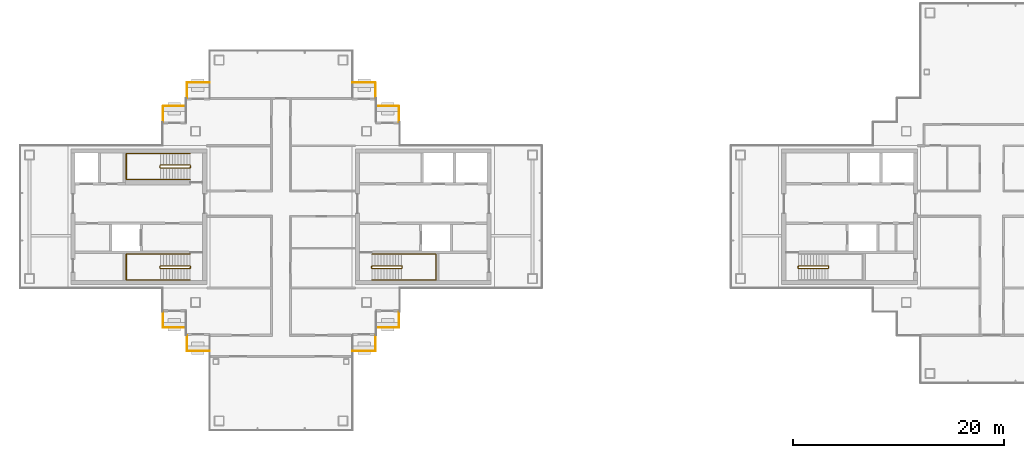
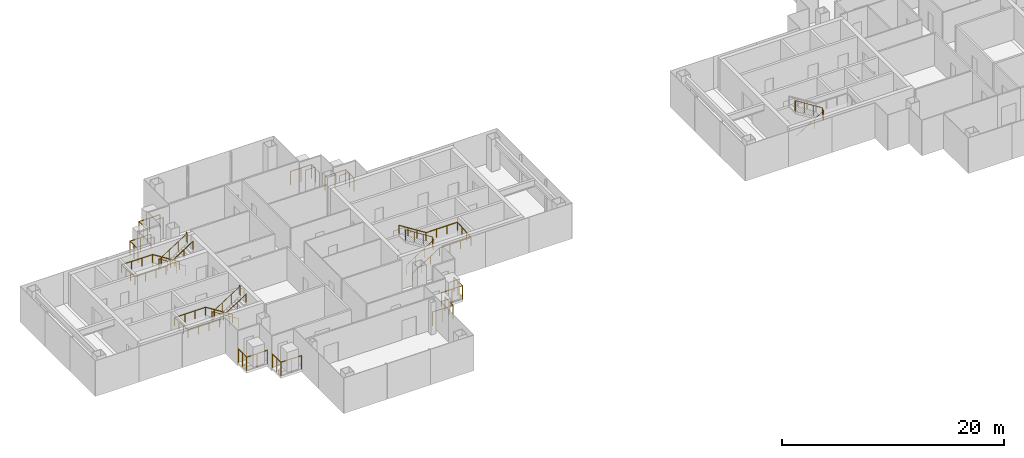
# One storey, part 14 of 16: 15 railings.
"""IFC4 building model written with IfcOpenShell, lengths in metres."""

from ifc_helpers import new_model, si_unit, direction, frame, origin, origin_2d, place, context, subcontext, project, spatial, circle, extrude, material, type_object, element, save


model = new_model("IFC4")

# Units and contexts
model_context = context("Model", 3, precision=1e-05, world=origin(), true_north=direction((0.0, 1.0)))
body_context = subcontext(model_context, "Body", "Model", "MODEL_VIEW")
ifc_project = project(units=[si_unit("LENGTHUNIT", "METRE"), si_unit("AREAUNIT", "SQUARE_METRE"), si_unit("VOLUMEUNIT", "CUBIC_METRE"), si_unit("PLANEANGLEUNIT", "RADIAN"), si_unit("MASSUNIT", "GRAM", prefix="KILO")], contexts=[model_context])

# Site, building, storey
site_placement = place(None, origin())
site = spatial("IfcSite", under=ifc_project, at=site_placement, CompositionType="ELEMENT")
building_placement = place(site_placement, origin())
building = spatial("IfcBuilding", under=site, at=building_placement, Name="Shamsa Quay Exchange Towers", CompositionType="ELEMENT")
storey_placement = place(building_placement, frame((0.0, 0.0, 261.60009765625)))
storey = spatial("IfcBuildingStorey", under=building, at=storey_placement, Name="L63", CompositionType="ELEMENT", Elevation=261.60009765625)

# Railings
ifc_material_1 = material(Name="Steel S355, black powder-coated", Category="steel")
railing_type_1 = type_object("IfcRailingType", Name="BALCONY GUARD 1500", PredefinedType="GUARDRAIL", material=ifc_material_1)
for number, where, name in (
    (1, (-22.550048828125, 9.02099609375, 0.0), "Balcony guard T1-PKEN L63"),
    (2, (-24.800048828125, 11.27099609375, 0.0), "Balcony guard T1-PKEN L63"),
):
    element("IfcRailing", number, at=place(storey_placement, frame(where)), inside=storey, type_object=railing_type_1, Name=name, PredefinedType="GUARDRAIL", context=body_context, shape_type="SweptSolid", body=[
        extrude(circle(Radius=0.02392578125, at=origin_2d()), frame((0.0, 0.0, 1.47607421875), z_axis=(0.0, 1.0, 0.0), x_axis=(-1.0, 0.0, 0.0)), (0.0, 0.0, 1.0), 1.47900390625),
        extrude(circle(Radius=0.02392578125, at=origin_2d()), frame((0.0, 1.47900390625, 1.47607421875), z_axis=(-1.0, 0.0, 0.0), x_axis=(0.0, -1.0, 0.0)), (0.0, 0.0, 1.0), 2.161865234375),
        extrude(circle(Radius=0.02099609375, at=origin_2d()), origin(), (0.0, 0.0, 1.0), 1.451904296875),
        extrude(circle(Radius=0.02099609375, at=origin_2d()), frame((0.0, 0.739501953125, 0.0)), (0.0, 0.0, 1.0), 1.451904296875),
        extrude(circle(Radius=0.02099609375, at=origin_2d()), frame((0.0, 1.47900390625, 0.0)), (0.0, 0.0, 1.0), 1.451904296875),
        extrude(circle(Radius=0.02099609375, at=origin_2d()), frame((-1.0810546875, 1.47900390625, 0.0)), (0.0, 0.0, 1.0), 1.451904296875),
        extrude(circle(Radius=0.02099609375, at=origin_2d()), frame((-2.161865234375, 1.47900390625, 0.0)), (0.0, 0.0, 1.0), 1.451904296875),
    ])
for number, where, name in (
    (3, (-24.7119140625, -10.5, 0.0), "Balcony guard T1-PKES L63"),
    (4, (-26.9619140625, -12.75, 0.0), "Balcony guard T1-PKES L63"),
):
    element("IfcRailing", number, at=place(storey_placement, frame(where)), inside=storey, type_object=railing_type_1, Name=name, PredefinedType="GUARDRAIL", context=body_context, shape_type="SweptSolid", body=[
        extrude(circle(Radius=0.02392578125, at=origin_2d()), frame((0.0, 0.0, 1.47607421875), z_axis=(1.0, 0.0, 0.0), x_axis=(0.0, 1.0, 0.0)), (0.0, 0.0, 1.0), 2.161865234375),
        extrude(circle(Radius=0.02392578125, at=origin_2d()), frame((2.161865234375, 0.0, 1.47607421875), z_axis=(0.0, 1.0, 0.0), x_axis=(-1.0, 0.0, 0.0)), (0.0, 0.0, 1.0), 1.47900390625),
        extrude(circle(Radius=0.02099609375, at=origin_2d()), origin(), (0.0, 0.0, 1.0), 1.451904296875),
        extrude(circle(Radius=0.02099609375, at=origin_2d()), frame((1.0810546875, 0.0, 0.0)), (0.0, 0.0, 1.0), 1.451904296875),
        extrude(circle(Radius=0.02099609375, at=origin_2d()), frame((2.161865234375, 0.0, 0.0)), (0.0, 0.0, 1.0), 1.451904296875),
        extrude(circle(Radius=0.02099609375, at=origin_2d()), frame((2.161865234375, 0.739501953125, 0.0)), (0.0, 0.0, 1.0), 1.451904296875),
        extrude(circle(Radius=0.02099609375, at=origin_2d()), frame((2.161865234375, 1.47900390625, 0.0)), (0.0, 0.0, 1.0), 1.451904296875),
    ])
for number, where, name in (
    (5, (-40.5380859375, 12.75, 0.0), "Balcony guard T1-PKWN L63"),
    (6, (-42.7880859375, 10.5, 0.0), "Balcony guard T1-PKWN L63"),
):
    element("IfcRailing", number, at=place(storey_placement, frame(where)), inside=storey, type_object=railing_type_1, Name=name, PredefinedType="GUARDRAIL", context=body_context, shape_type="SweptSolid", body=[
        extrude(circle(Radius=0.02392578125, at=origin_2d()), frame((0.0, 0.0, 1.47607421875), z_axis=(-1.0, 0.0, 0.0), x_axis=(0.0, -1.0, 0.0)), (0.0, 0.0, 1.0), 2.161865234375),
        extrude(circle(Radius=0.02392578125, at=origin_2d()), frame((-2.161865234375, 0.0, 1.47607421875), z_axis=(0.0, -1.0, 0.0), x_axis=(1.0, 0.0, 0.0)), (0.0, 0.0, 1.0), 1.47900390625),
        extrude(circle(Radius=0.02099609375, at=origin_2d()), origin(), (0.0, 0.0, 1.0), 1.451904296875),
        extrude(circle(Radius=0.02099609375, at=origin_2d()), frame((-1.0810546875, 0.0, 0.0)), (0.0, 0.0, 1.0), 1.451904296875),
        extrude(circle(Radius=0.02099609375, at=origin_2d()), frame((-2.161865234375, 0.0, 0.0)), (0.0, 0.0, 1.0), 1.451904296875),
        extrude(circle(Radius=0.02099609375, at=origin_2d()), frame((-2.161865234375, -0.739501953125, 0.0)), (0.0, 0.0, 1.0), 1.451904296875),
        extrude(circle(Radius=0.02099609375, at=origin_2d()), frame((-2.161865234375, -1.47900390625, 0.0)), (0.0, 0.0, 1.0), 1.451904296875),
    ])
for number, where, name in (
    (7, (-44.949951171875, -9.02099609375, 0.0), "Balcony guard T1-PKWS L63"),
    (8, (-42.699951171875, -11.27099609375, 0.0), "Balcony guard T1-PKWS L63"),
):
    element("IfcRailing", number, at=place(storey_placement, frame(where)), inside=storey, type_object=railing_type_1, Name=name, PredefinedType="GUARDRAIL", context=body_context, shape_type="SweptSolid", body=[
        extrude(circle(Radius=0.02392578125, at=origin_2d()), frame((0.0, 0.0, 1.47607421875), z_axis=(0.0, -1.0, 0.0), x_axis=(1.0, 0.0, 0.0)), (0.0, 0.0, 1.0), 1.47900390625),
        extrude(circle(Radius=0.02392578125, at=origin_2d()), frame((0.0, -1.47900390625, 1.47607421875), z_axis=(1.0, 0.0, 0.0), x_axis=(0.0, 1.0, 0.0)), (0.0, 0.0, 1.0), 2.161865234375),
        extrude(circle(Radius=0.02099609375, at=origin_2d()), origin(), (0.0, 0.0, 1.0), 1.451904296875),
        extrude(circle(Radius=0.02099609375, at=origin_2d()), frame((0.0, -0.739501953125, 0.0)), (0.0, 0.0, 1.0), 1.451904296875),
        extrude(circle(Radius=0.02099609375, at=origin_2d()), frame((0.0, -1.47900390625, 0.0)), (0.0, 0.0, 1.0), 1.451904296875),
        extrude(circle(Radius=0.02099609375, at=origin_2d()), frame((1.0810546875, -1.47900390625, 0.0)), (0.0, 0.0, 1.0), 1.451904296875),
        extrude(circle(Radius=0.02099609375, at=origin_2d()), frame((2.161865234375, -1.47900390625, 0.0)), (0.0, 0.0, 1.0), 1.451904296875),
    ])
ifc_material_2 = material(Name="Stainless steel", Category="steel")
railing_type_2 = type_object("IfcRailingType", Name="STAIR GUARD 1100", PredefinedType="GUARDRAIL", material=ifc_material_2)
railing_1_placement = place(storey_placement, frame((-25.10009765625, -4.89990234375, 0.17724609375)))
element("IfcRailing", 9, at=railing_1_placement, inside=storey, type_object=railing_type_2, Name="L63 ST1 stair guard 1", PredefinedType="GUARDRAIL", context=body_context, shape_type="SweptSolid", body=[
    extrude(circle(Radius=0.02392578125, at=origin_2d()), frame((0.0, 0.0, 1.076171875), z_axis=(0.844908973607, 0.0, 0.534910110503), x_axis=(0.0, 1.0, 0.0)), (0.0, 0.0, 1.0), 3.31396484375),
    extrude(circle(Radius=0.02392578125, at=origin_2d()), frame((2.800048828125, 0.0, 2.8486328125), z_axis=(0.708833529934, 0.705375805398, 0.0), x_axis=(-0.705375805398, 0.708833529934, 0.0)), (0.0, 0.0, 1.0), 0.070556640625),
    extrude(circle(Radius=0.02392578125, at=origin_2d()), frame((2.85009765625, 0.0498046875, 2.8486328125), z_axis=(0.0, 1.0, 0.0), x_axis=(-1.0, 0.0, 0.0)), (0.0, 0.0, 1.0), 0.150146484375),
    extrude(circle(Radius=0.02392578125, at=origin_2d()), frame((2.85009765625, 0.199951171875, 2.8486328125), z_axis=(-0.262233686654, 0.262233686654, 0.928691007369), x_axis=(-0.707106781187, -0.707106781187, 0.0)), (0.0, 0.0, 1.0), 0.19091796875),
    extrude(circle(Radius=0.02392578125, at=origin_2d()), frame((2.800048828125, 0.25, 3.02587890625), z_axis=(-0.844908973607, 0.0, 0.534910110503), x_axis=(0.0, -1.0, 0.0)), (0.0, 0.0, 1.0), 3.31396484375),
    extrude(circle(Radius=0.02392578125, at=origin_2d()), frame((0.0, 0.25, 4.798828125), z_axis=(-0.24142163986, -0.970420317083, 0.0), x_axis=(0.970420317083, -0.24142163986, 0.0)), (0.0, 0.0, 1.0), 0.206298828125),
    extrude(circle(Radius=0.02392578125, at=origin_2d()), frame((-0.0498046875, 0.0498046875, 4.798828125), z_axis=(0.0, 1.0, 0.0), x_axis=(-1.0, 0.0, 0.0)), (0.0, 0.0, 1.0), 0.150146484375),
    extrude(circle(Radius=0.02099609375, at=origin_2d()), origin(), (0.0, 0.0, 1.0), 1.052001953125),
    extrude(circle(Radius=0.02099609375, at=origin_2d()), frame((0.933349609375, 0.0, 0.5908203125)), (0.0, 0.0, 1.0), 1.052001953125),
    extrude(circle(Radius=0.02099609375, at=origin_2d()), frame((1.86669921875, 0.0, 1.181884765625)), (0.0, 0.0, 1.0), 1.052001953125),
    extrude(circle(Radius=0.02099609375, at=origin_2d()), frame((2.800048828125, 0.0, 1.772705078125)), (0.0, 0.0, 1.0), 1.052001953125),
    extrude(circle(Radius=0.02099609375, at=origin_2d()), frame((2.85009765625, 0.0498046875, 1.772705078125)), (0.0, 0.0, 1.0), 1.052001953125),
    extrude(circle(Radius=0.02099609375, at=origin_2d()), frame((2.85009765625, 0.199951171875, 1.772705078125)), (0.0, 0.0, 1.0), 1.052001953125),
    extrude(circle(Radius=0.02099609375, at=origin_2d()), frame((2.800048828125, 0.25, 1.949951171875)), (0.0, 0.0, 1.0), 1.052001953125),
    extrude(circle(Radius=0.02099609375, at=origin_2d()), frame((1.86669921875, 0.25, 2.540771484375)), (0.0, 0.0, 1.0), 1.052001953125),
    extrude(circle(Radius=0.02099609375, at=origin_2d()), frame((0.933349609375, 0.25, 3.1318359375)), (0.0, 0.0, 1.0), 1.052001953125),
    extrude(circle(Radius=0.02099609375, at=origin_2d()), frame((0.0, 0.25, 3.72265625)), (0.0, 0.0, 1.0), 1.052001953125),
    extrude(circle(Radius=0.02099609375, at=origin_2d()), frame((-0.0498046875, 0.0498046875, 3.72265625)), (0.0, 0.0, 1.0), 1.052001953125),
    extrude(circle(Radius=0.02099609375, at=origin_2d()), frame((-0.0498046875, 0.199951171875, 3.72265625)), (0.0, 0.0, 1.0), 1.052001953125),
])
railing_2_placement = place(storey_placement, frame((-42.39990234375, -4.64990234375, 0.17724609375)))
element("IfcRailing", 10, at=railing_2_placement, inside=storey, type_object=railing_type_2, Name="L63 ST2 stair guard 1", PredefinedType="GUARDRAIL", context=body_context, shape_type="SweptSolid", body=[
    extrude(circle(Radius=0.02392578125, at=origin_2d()), frame((0.0, 0.0, 1.076171875), z_axis=(-0.844908973607, 0.0, 0.534910110503), x_axis=(0.0, -1.0, 0.0)), (0.0, 0.0, 1.0), 3.31396484375),
    extrude(circle(Radius=0.02392578125, at=origin_2d()), frame((-2.800048828125, 0.0, 2.8486328125), z_axis=(-0.707106781187, -0.707106781187, 0.0), x_axis=(0.707106781187, -0.707106781187, 0.0)), (0.0, 0.0, 1.0), 0.07080078125),
    extrude(circle(Radius=0.02392578125, at=origin_2d()), frame((-2.85009765625, -0.050048828125, 2.8486328125), z_axis=(0.0, -1.0, 0.0), x_axis=(1.0, 0.0, 0.0)), (0.0, 0.0, 1.0), 0.150146484375),
    extrude(circle(Radius=0.02392578125, at=origin_2d()), frame((-2.85009765625, -0.2001953125, 2.8486328125), z_axis=(0.262321481514, -0.261041864531, 0.929001929653), x_axis=(0.705375805398, 0.708833529934, 0.0)), (0.0, 0.0, 1.0), 0.190673828125),
    extrude(circle(Radius=0.02392578125, at=origin_2d()), frame((-2.800048828125, -0.25, 3.02587890625), z_axis=(0.844908973607, 0.0, 0.534910110503), x_axis=(0.0, 1.0, 0.0)), (0.0, 0.0, 1.0), 3.31396484375),
    extrude(circle(Radius=0.02392578125, at=origin_2d()), frame((0.0, -0.25, 4.798828125), z_axis=(0.241699205484, 0.970351222016, 0.0), x_axis=(-0.970351222016, 0.241699205484, 0.0)), (0.0, 0.0, 1.0), 0.2060546875),
    extrude(circle(Radius=0.02392578125, at=origin_2d()), frame((0.0498046875, -0.050048828125, 4.798828125), z_axis=(0.0, -1.0, 0.0), x_axis=(1.0, 0.0, 0.0)), (0.0, 0.0, 1.0), 0.150146484375),
    extrude(circle(Radius=0.02099609375, at=origin_2d()), origin(), (0.0, 0.0, 1.0), 1.052001953125),
    extrude(circle(Radius=0.02099609375, at=origin_2d()), frame((-0.933349609375, 0.0, 0.5908203125)), (0.0, 0.0, 1.0), 1.052001953125),
    extrude(circle(Radius=0.02099609375, at=origin_2d()), frame((-1.86669921875, 0.0, 1.181884765625)), (0.0, 0.0, 1.0), 1.052001953125),
    extrude(circle(Radius=0.02099609375, at=origin_2d()), frame((-2.800048828125, 0.0, 1.772705078125)), (0.0, 0.0, 1.0), 1.052001953125),
    extrude(circle(Radius=0.02099609375, at=origin_2d()), frame((-2.85009765625, -0.050048828125, 1.772705078125)), (0.0, 0.0, 1.0), 1.052001953125),
    extrude(circle(Radius=0.02099609375, at=origin_2d()), frame((-2.85009765625, -0.2001953125, 1.772705078125)), (0.0, 0.0, 1.0), 1.052001953125),
    extrude(circle(Radius=0.02099609375, at=origin_2d()), frame((-2.800048828125, -0.25, 1.949951171875)), (0.0, 0.0, 1.0), 1.052001953125),
    extrude(circle(Radius=0.02099609375, at=origin_2d()), frame((-1.86669921875, -0.25, 2.540771484375)), (0.0, 0.0, 1.0), 1.052001953125),
    extrude(circle(Radius=0.02099609375, at=origin_2d()), frame((-0.933349609375, -0.25, 3.1318359375)), (0.0, 0.0, 1.0), 1.052001953125),
    extrude(circle(Radius=0.02099609375, at=origin_2d()), frame((0.0, -0.25, 3.72265625)), (0.0, 0.0, 1.0), 1.052001953125),
    extrude(circle(Radius=0.02099609375, at=origin_2d()), frame((0.0498046875, -0.050048828125, 3.72265625)), (0.0, 0.0, 1.0), 1.052001953125),
    extrude(circle(Radius=0.02099609375, at=origin_2d()), frame((0.0498046875, -0.2001953125, 3.72265625)), (0.0, 0.0, 1.0), 1.052001953125),
])
railing_3_placement = place(storey_placement, frame((-42.39990234375, 4.89990234375, 0.17724609375)))
element("IfcRailing", 11, at=railing_3_placement, inside=storey, type_object=railing_type_2, Name="L63 ST3 stair guard 1", PredefinedType="GUARDRAIL", context=body_context, shape_type="SweptSolid", body=[
    extrude(circle(Radius=0.02392578125, at=origin_2d()), frame((0.0, 0.0, 1.076171875), z_axis=(-0.844908973607, 0.0, 0.534910110503), x_axis=(0.0, -1.0, 0.0)), (0.0, 0.0, 1.0), 3.31396484375),
    extrude(circle(Radius=0.02392578125, at=origin_2d()), frame((-2.800048828125, 0.0, 2.8486328125), z_axis=(-0.708833529934, -0.705375805398, 0.0), x_axis=(0.705375805398, -0.708833529934, 0.0)), (0.0, 0.0, 1.0), 0.070556640625),
    extrude(circle(Radius=0.02392578125, at=origin_2d()), frame((-2.85009765625, -0.0498046875, 2.8486328125), z_axis=(0.0, -1.0, 0.0), x_axis=(1.0, 0.0, 0.0)), (0.0, 0.0, 1.0), 0.150146484375),
    extrude(circle(Radius=0.02392578125, at=origin_2d()), frame((-2.85009765625, -0.199951171875, 2.8486328125), z_axis=(0.262233686654, -0.262233686654, 0.928691007369), x_axis=(0.707106781187, 0.707106781187, 0.0)), (0.0, 0.0, 1.0), 0.19091796875),
    extrude(circle(Radius=0.02392578125, at=origin_2d()), frame((-2.800048828125, -0.25, 3.02587890625), z_axis=(0.844908973607, 0.0, 0.534910110503), x_axis=(0.0, 1.0, 0.0)), (0.0, 0.0, 1.0), 3.31396484375),
    extrude(circle(Radius=0.02392578125, at=origin_2d()), frame((0.0, -0.25, 4.798828125), z_axis=(0.24142163986, 0.970420317083, 0.0), x_axis=(-0.970420317083, 0.24142163986, 0.0)), (0.0, 0.0, 1.0), 0.206298828125),
    extrude(circle(Radius=0.02392578125, at=origin_2d()), frame((0.0498046875, -0.0498046875, 4.798828125), z_axis=(0.0, -1.0, 0.0), x_axis=(1.0, 0.0, 0.0)), (0.0, 0.0, 1.0), 0.150146484375),
    extrude(circle(Radius=0.02099609375, at=origin_2d()), origin(), (0.0, 0.0, 1.0), 1.052001953125),
    extrude(circle(Radius=0.02099609375, at=origin_2d()), frame((-0.933349609375, 0.0, 0.5908203125)), (0.0, 0.0, 1.0), 1.052001953125),
    extrude(circle(Radius=0.02099609375, at=origin_2d()), frame((-1.86669921875, 0.0, 1.181884765625)), (0.0, 0.0, 1.0), 1.052001953125),
    extrude(circle(Radius=0.02099609375, at=origin_2d()), frame((-2.800048828125, 0.0, 1.772705078125)), (0.0, 0.0, 1.0), 1.052001953125),
    extrude(circle(Radius=0.02099609375, at=origin_2d()), frame((-2.85009765625, -0.0498046875, 1.772705078125)), (0.0, 0.0, 1.0), 1.052001953125),
    extrude(circle(Radius=0.02099609375, at=origin_2d()), frame((-2.85009765625, -0.199951171875, 1.772705078125)), (0.0, 0.0, 1.0), 1.052001953125),
    extrude(circle(Radius=0.02099609375, at=origin_2d()), frame((-2.800048828125, -0.25, 1.949951171875)), (0.0, 0.0, 1.0), 1.052001953125),
    extrude(circle(Radius=0.02099609375, at=origin_2d()), frame((-1.86669921875, -0.25, 2.540771484375)), (0.0, 0.0, 1.0), 1.052001953125),
    extrude(circle(Radius=0.02099609375, at=origin_2d()), frame((-0.933349609375, -0.25, 3.1318359375)), (0.0, 0.0, 1.0), 1.052001953125),
    extrude(circle(Radius=0.02099609375, at=origin_2d()), frame((0.0, -0.25, 3.72265625)), (0.0, 0.0, 1.0), 1.052001953125),
    extrude(circle(Radius=0.02099609375, at=origin_2d()), frame((0.0498046875, -0.0498046875, 3.72265625)), (0.0, 0.0, 1.0), 1.052001953125),
    extrude(circle(Radius=0.02099609375, at=origin_2d()), frame((0.0498046875, -0.199951171875, 3.72265625)), (0.0, 0.0, 1.0), 1.052001953125),
])
railing_4_placement = place(storey_placement, frame((15.39990234375, -4.89990234375, 0.17724609375)))
element("IfcRailing", 12, at=railing_4_placement, inside=storey, type_object=railing_type_2, Name="L63 ST4 stair guard 1", PredefinedType="GUARDRAIL", context=body_context, shape_type="SweptSolid", body=[
    extrude(circle(Radius=0.02392578125, at=origin_2d()), frame((0.0, 0.0, 1.076171875), z_axis=(0.844908973607, 0.0, 0.534910110503), x_axis=(0.0, 1.0, 0.0)), (0.0, 0.0, 1.0), 3.31396484375),
    extrude(circle(Radius=0.02392578125, at=origin_2d()), frame((2.800048828125, 0.0, 2.8486328125), z_axis=(0.708833529934, 0.705375805398, 0.0), x_axis=(-0.705375805398, 0.708833529934, 0.0)), (0.0, 0.0, 1.0), 0.070556640625),
    extrude(circle(Radius=0.02392578125, at=origin_2d()), frame((2.85009765625, 0.0498046875, 2.8486328125), z_axis=(0.0, 1.0, 0.0), x_axis=(-1.0, 0.0, 0.0)), (0.0, 0.0, 1.0), 0.150146484375),
    extrude(circle(Radius=0.02392578125, at=origin_2d()), frame((2.85009765625, 0.199951171875, 2.8486328125), z_axis=(-0.262233686654, 0.262233686654, 0.928691007369), x_axis=(-0.707106781187, -0.707106781187, 0.0)), (0.0, 0.0, 1.0), 0.19091796875),
    extrude(circle(Radius=0.02392578125, at=origin_2d()), frame((2.800048828125, 0.25, 3.02587890625), z_axis=(-0.844908973607, 0.0, 0.534910110503), x_axis=(0.0, -1.0, 0.0)), (0.0, 0.0, 1.0), 3.31396484375),
    extrude(circle(Radius=0.02392578125, at=origin_2d()), frame((0.0, 0.25, 4.798828125), z_axis=(-0.24142163986, -0.970420317083, 0.0), x_axis=(0.970420317083, -0.24142163986, 0.0)), (0.0, 0.0, 1.0), 0.206298828125),
    extrude(circle(Radius=0.02392578125, at=origin_2d()), frame((-0.0498046875, 0.0498046875, 4.798828125), z_axis=(0.0, 1.0, 0.0), x_axis=(-1.0, 0.0, 0.0)), (0.0, 0.0, 1.0), 0.150146484375),
    extrude(circle(Radius=0.02099609375, at=origin_2d()), origin(), (0.0, 0.0, 1.0), 1.052001953125),
    extrude(circle(Radius=0.02099609375, at=origin_2d()), frame((0.933349609375, 0.0, 0.5908203125)), (0.0, 0.0, 1.0), 1.052001953125),
    extrude(circle(Radius=0.02099609375, at=origin_2d()), frame((1.86669921875, 0.0, 1.181884765625)), (0.0, 0.0, 1.0), 1.052001953125),
    extrude(circle(Radius=0.02099609375, at=origin_2d()), frame((2.800048828125, 0.0, 1.772705078125)), (0.0, 0.0, 1.0), 1.052001953125),
    extrude(circle(Radius=0.02099609375, at=origin_2d()), frame((2.85009765625, 0.0498046875, 1.772705078125)), (0.0, 0.0, 1.0), 1.052001953125),
    extrude(circle(Radius=0.02099609375, at=origin_2d()), frame((2.85009765625, 0.199951171875, 1.772705078125)), (0.0, 0.0, 1.0), 1.052001953125),
    extrude(circle(Radius=0.02099609375, at=origin_2d()), frame((2.800048828125, 0.25, 1.949951171875)), (0.0, 0.0, 1.0), 1.052001953125),
    extrude(circle(Radius=0.02099609375, at=origin_2d()), frame((1.86669921875, 0.25, 2.540771484375)), (0.0, 0.0, 1.0), 1.052001953125),
    extrude(circle(Radius=0.02099609375, at=origin_2d()), frame((0.933349609375, 0.25, 3.1318359375)), (0.0, 0.0, 1.0), 1.052001953125),
    extrude(circle(Radius=0.02099609375, at=origin_2d()), frame((0.0, 0.25, 3.72265625)), (0.0, 0.0, 1.0), 1.052001953125),
    extrude(circle(Radius=0.02099609375, at=origin_2d()), frame((-0.0498046875, 0.0498046875, 3.72265625)), (0.0, 0.0, 1.0), 1.052001953125),
    extrude(circle(Radius=0.02099609375, at=origin_2d()), frame((-0.0498046875, 0.199951171875, 3.72265625)), (0.0, 0.0, 1.0), 1.052001953125),
])
railing_type_3 = type_object("IfcRailingType", Name="STAIR HANDRAIL 900", PredefinedType="HANDRAIL", material=ifc_material_2)
railing_5_placement = place(storey_placement, frame((-25.10009765625, -6.0, 0.17724609375)))
element("IfcRailing", 13, at=railing_5_placement, inside=storey, type_object=railing_type_3, Name="L63 ST1 stair handrail 1", PredefinedType="HANDRAIL", context=body_context, shape_type="SweptSolid", body=[
    extrude(circle(Radius=0.02392578125, at=origin_2d()), frame((0.0, 0.0, 0.8759765625), z_axis=(0.844908973607, 0.0, 0.534910110503), x_axis=(0.0, 1.0, 0.0)), (0.0, 0.0, 1.0), 3.31396484375),
    extrude(circle(Radius=0.02392578125, at=origin_2d()), frame((2.800048828125, 0.0, 2.6484375), z_axis=(1.0, 0.0, 0.0), x_axis=(0.0, 1.0, 0.0)), (0.0, 0.0, 1.0), 3.25),
    extrude(circle(Radius=0.02392578125, at=origin_2d()), frame((6.050048828125, 0.0, 2.6484375), z_axis=(0.0, 0.997393199914, 0.07215819264), x_axis=(-1.0, 0.0, 0.0)), (0.0, 0.0, 1.0), 2.456298828125),
    extrude(circle(Radius=0.02392578125, at=origin_2d()), frame((6.050048828125, 2.449951171875, 2.82568359375), z_axis=(-1.0, 0.0, 0.0), x_axis=(0.0, -1.0, 0.0)), (0.0, 0.0, 1.0), 3.25),
    extrude(circle(Radius=0.02392578125, at=origin_2d()), frame((2.800048828125, 2.449951171875, 2.82568359375), z_axis=(-0.844908973607, 0.0, 0.534910110503), x_axis=(0.0, -1.0, 0.0)), (0.0, 0.0, 1.0), 3.31396484375),
    extrude(circle(Radius=0.02099609375, at=origin_2d()), origin(), (0.0, 0.0, 1.0), 0.851806640625),
    extrude(circle(Radius=0.02099609375, at=origin_2d()), frame((0.933349609375, 0.0, 0.5908203125)), (0.0, 0.0, 1.0), 0.851806640625),
    extrude(circle(Radius=0.02099609375, at=origin_2d()), frame((1.86669921875, 0.0, 1.181884765625)), (0.0, 0.0, 1.0), 0.851806640625),
    extrude(circle(Radius=0.02099609375, at=origin_2d()), frame((2.800048828125, 0.0, 1.772705078125)), (0.0, 0.0, 1.0), 0.851806640625),
    extrude(circle(Radius=0.02099609375, at=origin_2d()), frame((3.88330078125, 0.0, 1.772705078125)), (0.0, 0.0, 1.0), 0.851806640625),
    extrude(circle(Radius=0.02099609375, at=origin_2d()), frame((4.966796875, 0.0, 1.772705078125)), (0.0, 0.0, 1.0), 0.851806640625),
    extrude(circle(Radius=0.02099609375, at=origin_2d()), frame((6.050048828125, 0.0, 1.772705078125)), (0.0, 0.0, 1.0), 0.851806640625),
    extrude(circle(Radius=0.02099609375, at=origin_2d()), frame((6.050048828125, 0.816650390625, 1.831787109375)), (0.0, 0.0, 1.0), 0.851806640625),
    extrude(circle(Radius=0.02099609375, at=origin_2d()), frame((6.050048828125, 1.63330078125, 1.890869140625)), (0.0, 0.0, 1.0), 0.851806640625),
    extrude(circle(Radius=0.02099609375, at=origin_2d()), frame((6.050048828125, 2.449951171875, 1.949951171875)), (0.0, 0.0, 1.0), 0.851806640625),
    extrude(circle(Radius=0.02099609375, at=origin_2d()), frame((4.966796875, 2.449951171875, 1.949951171875)), (0.0, 0.0, 1.0), 0.851806640625),
    extrude(circle(Radius=0.02099609375, at=origin_2d()), frame((3.88330078125, 2.449951171875, 1.949951171875)), (0.0, 0.0, 1.0), 0.851806640625),
    extrude(circle(Radius=0.02099609375, at=origin_2d()), frame((2.800048828125, 2.449951171875, 1.949951171875)), (0.0, 0.0, 1.0), 0.851806640625),
    extrude(circle(Radius=0.02099609375, at=origin_2d()), frame((1.86669921875, 2.449951171875, 2.540771484375)), (0.0, 0.0, 1.0), 0.851806640625),
    extrude(circle(Radius=0.02099609375, at=origin_2d()), frame((0.933349609375, 2.449951171875, 3.1318359375)), (0.0, 0.0, 1.0), 0.851806640625),
    extrude(circle(Radius=0.02099609375, at=origin_2d()), frame((0.0, 2.449951171875, 3.72265625)), (0.0, 0.0, 1.0), 0.851806640625),
])
railing_6_placement = place(storey_placement, frame((-42.39990234375, -3.550048828125, 0.17724609375)))
element("IfcRailing", 14, at=railing_6_placement, inside=storey, type_object=railing_type_3, Name="L63 ST2 stair handrail 1", PredefinedType="HANDRAIL", context=body_context, shape_type="SweptSolid", body=[
    extrude(circle(Radius=0.02392578125, at=origin_2d()), frame((0.0, 0.0, 0.8759765625), z_axis=(-0.844908973607, 0.0, 0.534910110503), x_axis=(0.0, -1.0, 0.0)), (0.0, 0.0, 1.0), 3.31396484375),
    extrude(circle(Radius=0.02392578125, at=origin_2d()), frame((-2.800048828125, 0.0, 2.6484375), z_axis=(-1.0, 0.0, 0.0), x_axis=(0.0, -1.0, 0.0)), (0.0, 0.0, 1.0), 3.25),
    extrude(circle(Radius=0.02392578125, at=origin_2d()), frame((-6.050048828125, 0.0, 2.6484375), z_axis=(0.0, -0.997393199914, 0.07215819264), x_axis=(1.0, 0.0, 0.0)), (0.0, 0.0, 1.0), 2.456298828125),
    extrude(circle(Radius=0.02392578125, at=origin_2d()), frame((-6.050048828125, -2.449951171875, 2.82568359375), z_axis=(1.0, 0.0, 0.0), x_axis=(0.0, 1.0, 0.0)), (0.0, 0.0, 1.0), 3.25),
    extrude(circle(Radius=0.02392578125, at=origin_2d()), frame((-2.800048828125, -2.449951171875, 2.82568359375), z_axis=(0.844908973607, 0.0, 0.534910110503), x_axis=(0.0, 1.0, 0.0)), (0.0, 0.0, 1.0), 3.31396484375),
    extrude(circle(Radius=0.02099609375, at=origin_2d()), origin(), (0.0, 0.0, 1.0), 0.851806640625),
    extrude(circle(Radius=0.02099609375, at=origin_2d()), frame((-0.933349609375, 0.0, 0.5908203125)), (0.0, 0.0, 1.0), 0.851806640625),
    extrude(circle(Radius=0.02099609375, at=origin_2d()), frame((-1.86669921875, 0.0, 1.181884765625)), (0.0, 0.0, 1.0), 0.851806640625),
    extrude(circle(Radius=0.02099609375, at=origin_2d()), frame((-2.800048828125, 0.0, 1.772705078125)), (0.0, 0.0, 1.0), 0.851806640625),
    extrude(circle(Radius=0.02099609375, at=origin_2d()), frame((-3.88330078125, 0.0, 1.772705078125)), (0.0, 0.0, 1.0), 0.851806640625),
    extrude(circle(Radius=0.02099609375, at=origin_2d()), frame((-4.966796875, 0.0, 1.772705078125)), (0.0, 0.0, 1.0), 0.851806640625),
    extrude(circle(Radius=0.02099609375, at=origin_2d()), frame((-6.050048828125, 0.0, 1.772705078125)), (0.0, 0.0, 1.0), 0.851806640625),
    extrude(circle(Radius=0.02099609375, at=origin_2d()), frame((-6.050048828125, -0.816650390625, 1.831787109375)), (0.0, 0.0, 1.0), 0.851806640625),
    extrude(circle(Radius=0.02099609375, at=origin_2d()), frame((-6.050048828125, -1.63330078125, 1.890869140625)), (0.0, 0.0, 1.0), 0.851806640625),
    extrude(circle(Radius=0.02099609375, at=origin_2d()), frame((-6.050048828125, -2.449951171875, 1.949951171875)), (0.0, 0.0, 1.0), 0.851806640625),
    extrude(circle(Radius=0.02099609375, at=origin_2d()), frame((-4.966796875, -2.449951171875, 1.949951171875)), (0.0, 0.0, 1.0), 0.851806640625),
    extrude(circle(Radius=0.02099609375, at=origin_2d()), frame((-3.88330078125, -2.449951171875, 1.949951171875)), (0.0, 0.0, 1.0), 0.851806640625),
    extrude(circle(Radius=0.02099609375, at=origin_2d()), frame((-2.800048828125, -2.449951171875, 1.949951171875)), (0.0, 0.0, 1.0), 0.851806640625),
    extrude(circle(Radius=0.02099609375, at=origin_2d()), frame((-1.86669921875, -2.449951171875, 2.540771484375)), (0.0, 0.0, 1.0), 0.851806640625),
    extrude(circle(Radius=0.02099609375, at=origin_2d()), frame((-0.933349609375, -2.449951171875, 3.1318359375)), (0.0, 0.0, 1.0), 0.851806640625),
    extrude(circle(Radius=0.02099609375, at=origin_2d()), frame((0.0, -2.449951171875, 3.72265625)), (0.0, 0.0, 1.0), 0.851806640625),
])
railing_7_placement = place(storey_placement, frame((-42.39990234375, 6.0, 0.17724609375)))
element("IfcRailing", 15, at=railing_7_placement, inside=storey, type_object=railing_type_3, Name="L63 ST3 stair handrail 1", PredefinedType="HANDRAIL", context=body_context, shape_type="SweptSolid", body=[
    extrude(circle(Radius=0.02392578125, at=origin_2d()), frame((0.0, 0.0, 0.8759765625), z_axis=(-0.844908973607, 0.0, 0.534910110503), x_axis=(0.0, -1.0, 0.0)), (0.0, 0.0, 1.0), 3.31396484375),
    extrude(circle(Radius=0.02392578125, at=origin_2d()), frame((-2.800048828125, 0.0, 2.6484375), z_axis=(-1.0, 0.0, 0.0), x_axis=(0.0, -1.0, 0.0)), (0.0, 0.0, 1.0), 3.25),
    extrude(circle(Radius=0.02392578125, at=origin_2d()), frame((-6.050048828125, 0.0, 2.6484375), z_axis=(0.0, -0.997393199914, 0.07215819264), x_axis=(1.0, 0.0, 0.0)), (0.0, 0.0, 1.0), 2.456298828125),
    extrude(circle(Radius=0.02392578125, at=origin_2d()), frame((-6.050048828125, -2.449951171875, 2.82568359375), z_axis=(1.0, 0.0, 0.0), x_axis=(0.0, 1.0, 0.0)), (0.0, 0.0, 1.0), 3.25),
    extrude(circle(Radius=0.02392578125, at=origin_2d()), frame((-2.800048828125, -2.449951171875, 2.82568359375), z_axis=(0.844908973607, 0.0, 0.534910110503), x_axis=(0.0, 1.0, 0.0)), (0.0, 0.0, 1.0), 3.31396484375),
    extrude(circle(Radius=0.02099609375, at=origin_2d()), origin(), (0.0, 0.0, 1.0), 0.851806640625),
    extrude(circle(Radius=0.02099609375, at=origin_2d()), frame((-0.933349609375, 0.0, 0.5908203125)), (0.0, 0.0, 1.0), 0.851806640625),
    extrude(circle(Radius=0.02099609375, at=origin_2d()), frame((-1.86669921875, 0.0, 1.181884765625)), (0.0, 0.0, 1.0), 0.851806640625),
    extrude(circle(Radius=0.02099609375, at=origin_2d()), frame((-2.800048828125, 0.0, 1.772705078125)), (0.0, 0.0, 1.0), 0.851806640625),
    extrude(circle(Radius=0.02099609375, at=origin_2d()), frame((-3.88330078125, 0.0, 1.772705078125)), (0.0, 0.0, 1.0), 0.851806640625),
    extrude(circle(Radius=0.02099609375, at=origin_2d()), frame((-4.966796875, 0.0, 1.772705078125)), (0.0, 0.0, 1.0), 0.851806640625),
    extrude(circle(Radius=0.02099609375, at=origin_2d()), frame((-6.050048828125, 0.0, 1.772705078125)), (0.0, 0.0, 1.0), 0.851806640625),
    extrude(circle(Radius=0.02099609375, at=origin_2d()), frame((-6.050048828125, -0.816650390625, 1.831787109375)), (0.0, 0.0, 1.0), 0.851806640625),
    extrude(circle(Radius=0.02099609375, at=origin_2d()), frame((-6.050048828125, -1.63330078125, 1.890869140625)), (0.0, 0.0, 1.0), 0.851806640625),
    extrude(circle(Radius=0.02099609375, at=origin_2d()), frame((-6.050048828125, -2.449951171875, 1.949951171875)), (0.0, 0.0, 1.0), 0.851806640625),
    extrude(circle(Radius=0.02099609375, at=origin_2d()), frame((-4.966796875, -2.449951171875, 1.949951171875)), (0.0, 0.0, 1.0), 0.851806640625),
    extrude(circle(Radius=0.02099609375, at=origin_2d()), frame((-3.88330078125, -2.449951171875, 1.949951171875)), (0.0, 0.0, 1.0), 0.851806640625),
    extrude(circle(Radius=0.02099609375, at=origin_2d()), frame((-2.800048828125, -2.449951171875, 1.949951171875)), (0.0, 0.0, 1.0), 0.851806640625),
    extrude(circle(Radius=0.02099609375, at=origin_2d()), frame((-1.86669921875, -2.449951171875, 2.540771484375)), (0.0, 0.0, 1.0), 0.851806640625),
    extrude(circle(Radius=0.02099609375, at=origin_2d()), frame((-0.933349609375, -2.449951171875, 3.1318359375)), (0.0, 0.0, 1.0), 0.851806640625),
    extrude(circle(Radius=0.02099609375, at=origin_2d()), frame((0.0, -2.449951171875, 3.72265625)), (0.0, 0.0, 1.0), 0.851806640625),
])

save(model, "model.ifc")
